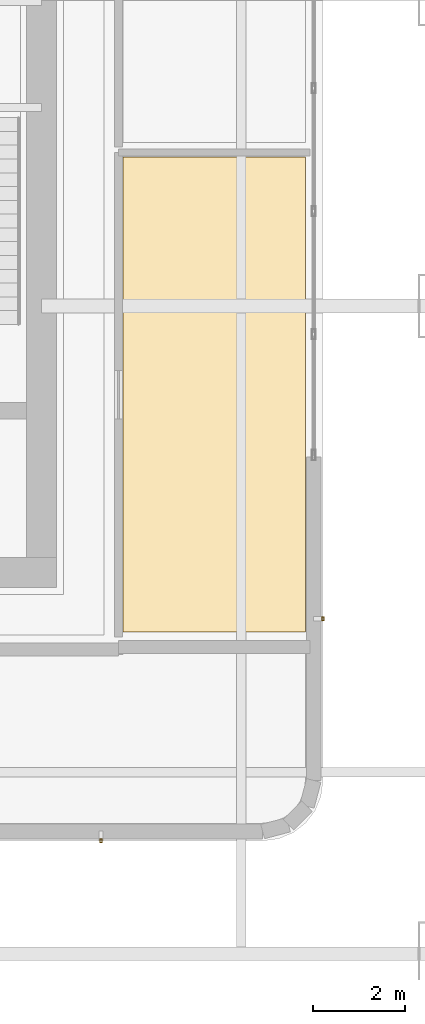
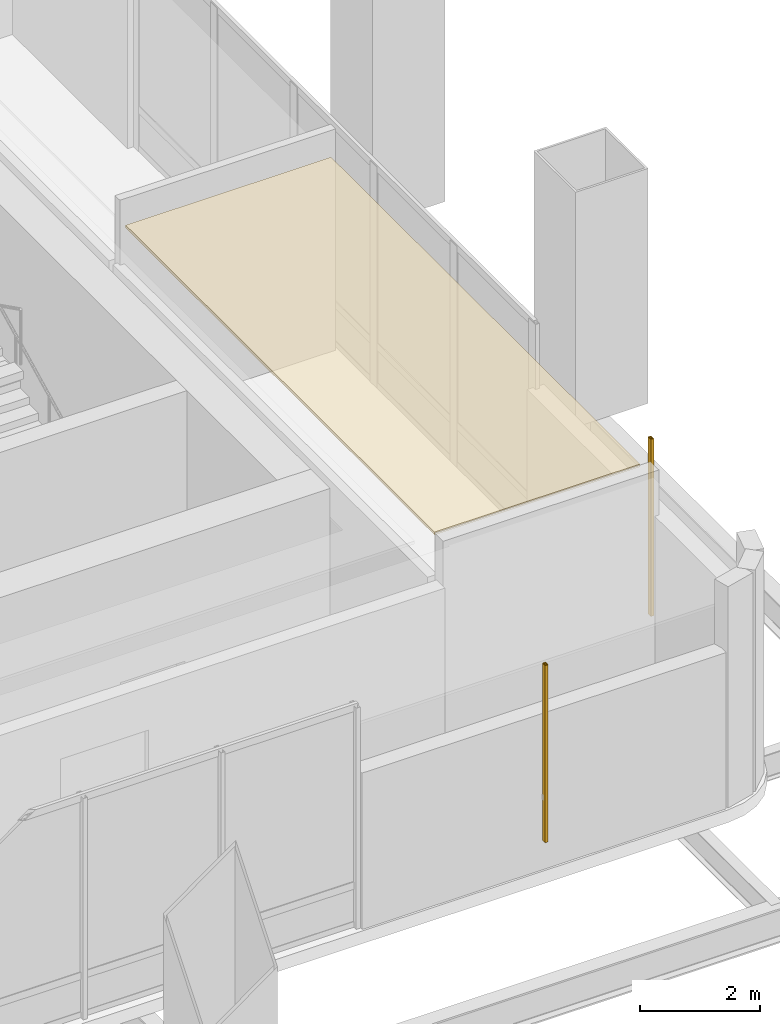
# One storey, part 26 of 30: 2 shading devices, 1 covering.
"""IFC4 building model written with IfcOpenShell, lengths in metres."""

from ifc_helpers import new_model, si_unit, direction, frame, origin, origin_2d, place, context, subcontext, project, spatial, polyline, hollow_rectangle, outline, extrude, material, layer, layer_set, material_profile, profile_set, type_object, element, save


model = new_model("IFC4")

# Units and contexts
model_context = context("Model", 3, precision=1e-05, world=origin(), true_north=direction((0.0, 1.0)))
body_context = subcontext(model_context, "Body", "Model", "MODEL_VIEW")
ifc_project = project(units=[si_unit("LENGTHUNIT", "METRE"), si_unit("AREAUNIT", "SQUARE_METRE"), si_unit("VOLUMEUNIT", "CUBIC_METRE"), si_unit("PLANEANGLEUNIT", "RADIAN"), si_unit("MASSUNIT", "GRAM", prefix="KILO")], contexts=[model_context])

# Site, building, storey
site_placement = place(None, origin())
site = spatial("IfcSite", under=ifc_project, at=site_placement, CompositionType="ELEMENT")
building_placement = place(site_placement, origin())
building = spatial("IfcBuilding", under=site, at=building_placement, Name="Punatoya Terracotta Tower", CompositionType="ELEMENT")
storey_placement = place(building_placement, frame((0.0, 0.0, 135.0)))
storey = spatial("IfcBuildingStorey", under=building, at=storey_placement, Name="L31", CompositionType="ELEMENT", Elevation=135.0)

# Covering
ifc_material_1 = material(Name="Acoustic Mineral Fibre Ceiling")
ifc_layer = layer(ifc_material_1, 0.06005859375)
ifc_layer_set = layer_set([ifc_layer], Name="Acoustic Mineral Fibre Ceiling")
covering_type = type_object("IfcCoveringType", Name="COV-CEIL-60", PredefinedType="CEILING", material=ifc_layer_set)
covering_placement = place(storey_placement, frame((0.0, 0.0, 3.929931640625)))
element("IfcCovering", 1, at=covering_placement, inside=storey, type_object=covering_type, Name="L31 Barista Tea Pantry Acoustic Ceiling", PredefinedType="CEILING", context=body_context, shape_type="SweptSolid", body=[
    extrude(outline(polyline([(15.949951171875, -10.5), (15.949951171875, -0.159912109375), (11.97998046875, -0.159912109375), (11.97998046875, -10.5), (15.949951171875, -10.5)])), origin(), (0.0, 0.0, 1.0), 0.06005859375),
])

# Shading devices
ifc_material_2 = material(Name="Architectural Fired Terracotta", Category="masonry")
ifc_material_profile = material_profile(ifc_material_2, hollow_rectangle(XDim=0.06005859375, YDim=0.090087890625, WallThickness=0.013916015625, at=origin_2d()))
ifc_profile_set = profile_set([ifc_material_profile], Name="Architectural Fired Terracotta")
shading_device_type = type_object("IfcShadingDeviceType", Name="SHD-JALI-90", PredefinedType="JALOUSIE", material=ifc_profile_set)
for number, where, z_axis, x_axis, name in (
    (2, (11.49853515625, -15.0400390625, 0.60009765625), (0.0, 0.0, 1.0), (1.0, 0.0, 0.0), "L31 Braced Bay Terracotta Jali Fin S2"),
    (3, (16.330078125, -10.20849609375, 0.60009765625), (0.0, 0.0, 1.0), (1.0, 0.0, 0.0), "L31 Braced Bay Terracotta Jali Fin E1"),
):
    element("IfcShadingDevice", number, at=place(storey_placement, frame(where, z_axis=z_axis, x_axis=x_axis)), inside=storey, type_object=shading_device_type, Name=name, PredefinedType="JALOUSIE", context=body_context, shape_type="SweptSolid", body=[
        extrude(hollow_rectangle(XDim=0.06005859375, YDim=0.090087890625, WallThickness=0.013916015625, at=origin_2d()), origin(), (0.0, 0.0, 1.0), 3.619873046875),
    ])

save(model, "model.ifc")
